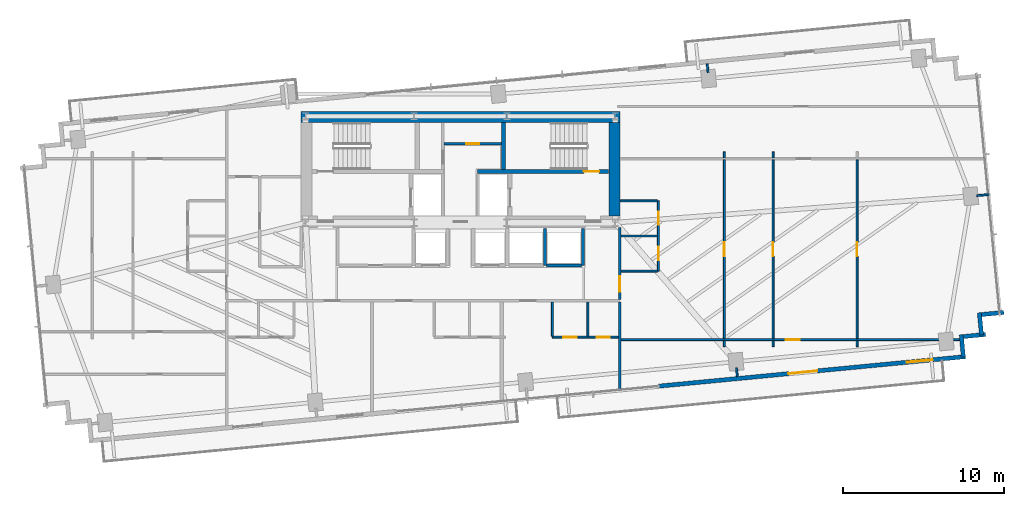
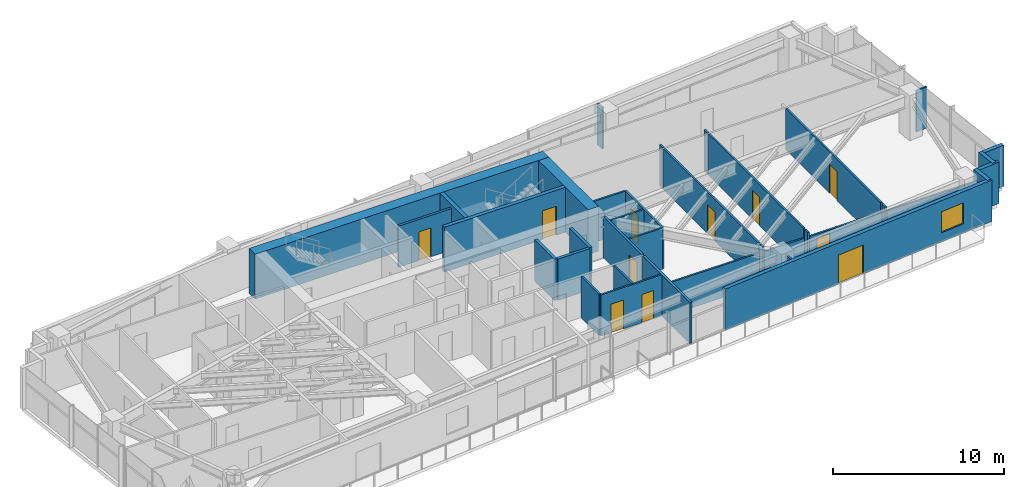
# One storey, part 21 of 25: 34 walls, 12 doors, 1 window, 13 openings.
"""IFC4 building model written with IfcOpenShell, lengths in metres."""

from ifc_helpers import new_model, si_unit, direction, frame, frame_2d, origin, place, context, subcontext, project, spatial, rectangle, extrude, source, transform, mapped, material, layer, layer_set, type_object, type_shapes, element, fill, save


model = new_model("IFC4")

# Units and contexts
model_context = context("Model", 3, precision=1e-05, world=origin(), true_north=direction((0.0, 1.0)))
body_context = subcontext(model_context, "Body", "Model", "MODEL_VIEW")
ifc_project = project(units=[si_unit("LENGTHUNIT", "METRE"), si_unit("AREAUNIT", "SQUARE_METRE"), si_unit("VOLUMEUNIT", "CUBIC_METRE"), si_unit("PLANEANGLEUNIT", "RADIAN"), si_unit("MASSUNIT", "GRAM", prefix="KILO")], contexts=[model_context])

# Site, building, storey
site_placement = place(None, origin())
site = spatial("IfcSite", under=ifc_project, at=site_placement, CompositionType="ELEMENT")
building_placement = place(site_placement, origin())
building = spatial("IfcBuilding", under=site, at=building_placement, Name="Astriad Promenade Condominiums", CompositionType="ELEMENT")
storey_placement = place(building_placement, frame((0.0, 0.0, 103.39990234375)))
storey = spatial("IfcBuildingStorey", under=building, at=storey_placement, Name="L29", CompositionType="ELEMENT", Elevation=103.39990234375)

# Walls
ifc_material_1 = material(Name="Concrete C60/75", Category="concrete")
ifc_layer_1 = layer(ifc_material_1, 0.699951171875)
ifc_layer_set_1 = layer_set([ifc_layer_1], Name="Concrete C60/75")
wall_type_1 = type_object("IfcWallType", Name="CW-SHEAR-700", PredefinedType="SHEAR", material=ifc_layer_set_1)
wall_1_placement = place(storey_placement, frame((26.10009765625, 23.949951171875, 0.0), z_axis=(0.0, 0.0, 1.0), x_axis=(1.0, 0.0, 0.0)))
element("IfcWall", 1, at=wall_1_placement, inside=storey, type_object=wall_type_1, Name="CW-CORE-N-L29", PredefinedType="SHEAR", context=body_context, shape_type="SweptSolid", body=[
    extrude(rectangle(XDim=19.7998046875, YDim=0.699951171875, at=frame_2d((9.89990234375, 0.0))), origin(), (0.0, 0.0, 1.0), 3.2001953125),
])
wall_2_placement = place(storey_placement, frame((45.550048828125, 17.802001953125, 0.0), z_axis=(0.0, 0.0, 1.0), x_axis=(0.0, 1.0, 0.0)))
element("IfcWall", 2, at=wall_2_placement, inside=storey, type_object=wall_type_1, Name="CW-CORE-E-L29", PredefinedType="SHEAR", context=body_context, shape_type="SweptSolid", body=[
    extrude(rectangle(XDim=5.7958984375, YDim=0.699951171875, at=frame_2d((2.89794921875, 0.0))), origin(), (0.0, 0.0, 1.0), 3.2001953125),
])

# Wall, opening, door
ifc_material_2 = material(Name="Concrete C50/60", Category="concrete")
ifc_layer_2 = layer(ifc_material_2, 0.25)
ifc_layer_set_2 = layer_set([ifc_layer_2], Name="Concrete C50/60")
wall_type_2 = type_object("IfcWallType", Name="WALL-CORE-INT-250", PredefinedType="SOLIDWALL", material=ifc_layer_set_2)
wall_3_placement = place(storey_placement, frame((37.050048828125, 20.574951171875, 0.0), z_axis=(0.0, 0.0, 1.0), x_axis=(1.0, 0.0, 0.0)))
wall_3 = element("IfcWall", 3, at=wall_3_placement, inside=storey, type_object=wall_type_2, Name="CW-INT-H2-L29", PredefinedType="SOLIDWALL", context=body_context, shape_type="SweptSolid", body=[
    extrude(rectangle(XDim=8.14794921875, YDim=0.25, at=frame_2d((4.073974609375, 0.0))), origin(), (0.0, 0.0, 1.0), 3.2001953125),
])
opening_1_placement = place(wall_3_placement, frame((6.60009765625, 0.0, 0.0)))
opening_1 = element("IfcOpeningElement", 4, at=opening_1_placement, cuts=wall_3, Name="Opening FD90-ST-095", PredefinedType="OPENING", context=body_context, shape_type="SweptSolid", body=[
    extrude(rectangle(XDim=0.949951171875, YDim=2.06005859375, at=frame_2d((0.47509765625, 1.030029296875))), frame((0.0, 0.135009765625, 0.0), z_axis=(0.0, -1.0, 0.0), x_axis=(1.0, 0.0, 0.0)), (0.0, 0.0, 1.0), 0.27001953125),
])
ifc_material_3 = material(Name="Fire-Rated Hollow Metal Stair Door")
door_type_1 = type_object("IfcDoorType", Name="FD90-ST-095", OperationType="NOTDEFINED", PredefinedType="DOOR", material=ifc_material_3)
shared_shape_1 = source(origin(), body_context, "Body", "SweptSolid", [
    extrude(rectangle(XDim=0.949951171875, YDim=2.06005859375, at=frame_2d((0.47509765625, 1.030029296875))), frame((0.0, 0.02490234375, 0.0), z_axis=(0.0, -1.0, 0.0), x_axis=(1.0, 0.0, 0.0)), (0.0, 0.0, 1.0), 0.050048828125),
])
type_shapes(door_type_1, [shared_shape_1])
door_1_placement = place(opening_1_placement, origin())
door_1 = element("IfcDoor", 5, at=door_1_placement, inside=storey, type_object=door_type_1, Name="D-ST2-L29", OperationType="SINGLE_SWING_RIGHT", OverallHeight=2.06005859375, OverallWidth=0.949951171875, PredefinedType="DOOR", context=body_context, shape_type="MappedRepresentation", body=[
    mapped(shared_shape_1, transform((0.0, 0.0, 0.0), scale=1.0)),
])
fill(opening_1, door_1)

# Wall
wall_4_placement = place(storey_placement, frame((38.675048828125, 20.701904296875, 0.0), z_axis=(0.0, 0.0, 1.0), x_axis=(0.0, 1.0, 0.0)))
element("IfcWall", 6, at=wall_4_placement, inside=storey, type_object=wall_type_2, Name="CW-ST2-W-L29", PredefinedType="SOLIDWALL", context=body_context, shape_type="SweptSolid", body=[
    extrude(rectangle(XDim=2.89599609375, YDim=0.25, at=frame_2d((1.447998046875, 0.0))), origin(), (0.0, 0.0, 1.0), 3.2001953125),
])

# Wall, opening, door
ifc_material_4 = material(Name="Fire-Rated Gypsum Partition")
ifc_layer_3 = layer(ifc_material_4, 0.159912109375)
ifc_layer_set_3 = layer_set([ifc_layer_3], Name="Fire-Rated Gypsum Partition")
wall_type_3 = type_object("IfcWallType", Name="WALL-CORR-160", PredefinedType="PARTITIONING", material=ifc_layer_set_3)
wall_5_placement = place(storey_placement, frame((34.98193359375, 22.300048828125, 0.0), z_axis=(0.0, 0.0, 1.0), x_axis=(1.0, 0.0, 0.0)))
wall_5 = element("IfcWall", 7, at=wall_5_placement, inside=storey, type_object=wall_type_3, Name="CW-AUX-N-L29", PredefinedType="PARTITIONING", context=body_context, shape_type="SweptSolid", body=[
    extrude(rectangle(XDim=3.566162109375, YDim=0.159912109375, at=frame_2d((1.783203125, 0.0))), origin(), (0.0, 0.0, 1.0), 2.940185546875),
])
opening_2_placement = place(wall_5_placement, frame((1.3779296875, 0.0, 0.0)))
opening_2 = element("IfcOpeningElement", 8, at=opening_2_placement, cuts=wall_5, Name="Opening FD60-SV-080", PredefinedType="OPENING", context=body_context, shape_type="SweptSolid", body=[
    extrude(rectangle(XDim=0.800048828125, YDim=2.050048828125, at=frame_2d((0.39990234375, 1.02490234375))), frame((0.0, 0.08984375, 0.0), z_axis=(0.0, -1.0, 0.0), x_axis=(1.0, 0.0, 0.0)), (0.0, 0.0, 1.0), 0.179931640625),
])
ifc_material_5 = material(Name="Fire-Rated Riser Closet Door")
door_type_2 = type_object("IfcDoorType", Name="FD60-SV-080", OperationType="NOTDEFINED", PredefinedType="DOOR", material=ifc_material_5)
shared_shape_2 = source(origin(), body_context, "Body", "SweptSolid", [
    extrude(rectangle(XDim=0.800048828125, YDim=2.050048828125, at=frame_2d((0.39990234375, 1.02490234375))), frame((0.0, 0.02490234375, 0.0), z_axis=(0.0, -1.0, 0.0), x_axis=(1.0, 0.0, 0.0)), (0.0, 0.0, 1.0), 0.050048828125),
])
type_shapes(door_type_2, [shared_shape_2])
door_2_placement = place(opening_2_placement, origin())
door_2 = element("IfcDoor", 9, at=door_2_placement, inside=storey, type_object=door_type_2, Name="D-AUX2-L29", OperationType="SINGLE_SWING_RIGHT", OverallHeight=2.050048828125, OverallWidth=0.800048828125, PredefinedType="DOOR", context=body_context, shape_type="MappedRepresentation", body=[
    mapped(shared_shape_2, transform((0.0, 0.0, 0.0), scale=1.0)),
])
fill(opening_2, door_2)

# Wall
wall_6_placement = place(storey_placement, frame((45.8798828125, 6.977294921875, 0.0), z_axis=(0.0, 0.0, 1.0), x_axis=(0.0, 1.0, 0.0)))
element("IfcWall", 10, at=wall_6_placement, inside=storey, type_object=wall_type_3, Name="PT-COR-E-L29", PredefinedType="PARTITIONING", context=body_context, shape_type="SweptSolid", body=[
    extrude(rectangle(XDim=5.49072265625, YDim=0.159912109375, at=frame_2d((2.745361328125, 0.0))), origin(), (0.0, 0.0, 1.0), 2.940185546875),
])

# Wall, opening, door
wall_7_placement = place(storey_placement, frame((45.8798828125, 12.632080078125, 0.0), z_axis=(0.0, 0.0, 1.0), x_axis=(0.0, 1.0, 0.0)))
wall_7 = element("IfcWall", 11, at=wall_7_placement, inside=storey, type_object=wall_type_3, Name="PT-COR-E-L29-S2", PredefinedType="PARTITIONING", context=body_context, shape_type="SweptSolid", body=[
    extrude(rectangle(XDim=4.4658203125, YDim=0.159912109375, at=frame_2d((2.23291015625, 0.0))), origin(), (0.0, 0.0, 1.0), 2.940185546875),
])
opening_3_placement = place(wall_7_placement, frame((0.492919921875, 0.0, 0.0)))
opening_3 = element("IfcOpeningElement", 12, at=opening_3_placement, cuts=wall_7, Name="Opening FD60-APT-095", PredefinedType="OPENING", context=body_context, shape_type="SweptSolid", body=[
    extrude(rectangle(XDim=0.949951171875, YDim=2.06005859375, at=frame_2d((0.47509765625, 1.030029296875))), frame((0.0, 0.08984375, 0.0), z_axis=(0.0, -1.0, 0.0), x_axis=(1.0, 0.0, 0.0)), (0.0, 0.0, 1.0), 0.179931640625),
])
ifc_material_6 = material(Name="Solid-Core Acoustic Timber Residence Entry Door", Category="wood")
door_type_3 = type_object("IfcDoorType", Name="FD60-APT-095", OperationType="NOTDEFINED", PredefinedType="DOOR", material=ifc_material_6)
shared_shape_3 = source(origin(), body_context, "Body", "SweptSolid", [
    extrude(rectangle(XDim=0.949951171875, YDim=2.06005859375, at=frame_2d((0.47509765625, 1.030029296875))), frame((0.0, 0.02490234375, 0.0), z_axis=(0.0, -1.0, 0.0), x_axis=(1.0, 0.0, 0.0)), (0.0, 0.0, 1.0), 0.050048828125),
])
type_shapes(door_type_3, [shared_shape_3])
door_3_placement = place(opening_3_placement, origin())
door_3 = element("IfcDoor", 13, at=door_3_placement, inside=storey, type_object=door_type_3, Name="D-ENT-L29-E1", OperationType="SINGLE_SWING_LEFT", OverallHeight=2.06005859375, OverallWidth=0.949951171875, PredefinedType="DOOR", context=body_context, shape_type="MappedRepresentation", body=[
    mapped(shared_shape_3, transform((0.0, 0.0, 0.0), scale=1.0)),
])
fill(opening_3, door_3)

# Walls
ifc_material_7 = material(Name="Precast concrete C50/60", Category="concrete")
ifc_layer_4 = layer(ifc_material_7, 0.260009765625)
ifc_layer_set_4 = layer_set([ifc_layer_4], Name="Precast concrete C50/60")
wall_type_4 = type_object("IfcWallType", Name="WALL-EXT-TWR-260", PredefinedType="STANDARD", material=ifc_layer_set_4)
for number, where, z_axis, x_axis, name in (
    (14, (69.698486328125, 11.83251953125, 0.0), (0.0, 0.0, 1.0), (-0.99540614245, -0.095742423056, 0.0), "W-SER-L29-14"),
    (15, (68.18310546875, 11.817138671875, 0.0), (0.0, 0.0, 1.0), (0.095915846097, -0.995389446633, 0.0), "W-SER-L29-15"),
):
    element("IfcWall", number, at=place(storey_placement, frame(where, z_axis=z_axis, x_axis=x_axis)), inside=storey, type_object=wall_type_4, Name=name, PredefinedType="STANDARD", context=body_context, shape_type="SweptSolid", body=[
        extrude(rectangle(XDim=1.394775390625, YDim=0.260009765625, at=frame_2d((0.697265625, 0.0))), origin(), (0.0, 0.0, 1.0), 2.940185546875),
    ])
wall_8_placement = place(storey_placement, frame((68.57421875, 10.468505859375, 0.0), z_axis=(0.0, 0.0, 1.0), x_axis=(-0.99540774648, -0.095725744959, 0.0)))
element("IfcWall", 16, at=wall_8_placement, inside=storey, type_object=wall_type_4, Name="W-SER-L29-16", PredefinedType="STANDARD", context=body_context, shape_type="SweptSolid", body=[
    extrude(rectangle(XDim=1.39501953125, YDim=0.260009765625, at=frame_2d((0.697509765625, 0.0))), origin(), (0.0, 0.0, 1.0), 2.940185546875),
])
wall_9_placement = place(storey_placement, frame((67.05859375, 10.453125, 0.0), z_axis=(0.0, 0.0, 1.0), x_axis=(0.095915846097, -0.995389446633, 0.0)))
element("IfcWall", 17, at=wall_9_placement, inside=storey, type_object=wall_type_4, Name="W-SER-L29-17", PredefinedType="STANDARD", context=body_context, shape_type="SweptSolid", body=[
    extrude(rectangle(XDim=1.394775390625, YDim=0.260009765625, at=frame_2d((0.697265625, 0.0))), origin(), (0.0, 0.0, 1.0), 2.940185546875),
])

# Wall, openings, door, window
wall_10_placement = place(storey_placement, frame((67.3203125, 9.092041015625, 0.0), z_axis=(0.0, 0.0, 1.0), x_axis=(-0.995396521236, -0.095842399342, 0.0)))
wall_10 = element("IfcWall", 18, at=wall_10_placement, inside=storey, type_object=wall_type_4, Name="W-EXT-L29-S1", PredefinedType="STANDARD", context=body_context, shape_type="SweptSolid", body=[
    extrude(rectangle(XDim=19.10986328125, YDim=0.260009765625, at=frame_2d((9.554931640625, 0.0))), origin(), (0.0, 0.0, 1.0), 2.940185546875),
])
opening_4_placement = place(wall_10_placement, frame((9.22412109375, 0.0, 0.0)))
opening_4 = element("IfcOpeningElement", 19, at=opening_4_placement, cuts=wall_10, Name="Opening BD-1822-SLD", PredefinedType="OPENING", context=body_context, shape_type="SweptSolid", body=[
    extrude(rectangle(XDim=1.800048828125, YDim=2.06005859375, at=frame_2d((0.89990234375, 1.030029296875))), frame((0.0, 0.139892578125, 0.0), z_axis=(0.0, -1.0, 0.0), x_axis=(1.0, 0.0, 0.0)), (0.0, 0.0, 1.0), 0.280029296875),
])
opening_5_placement = place(wall_10_placement, frame((2.050048828125, 0.0, 0.64990234375)))
opening_5 = element("IfcOpeningElement", 20, at=opening_5_placement, cuts=wall_10, Name="Opening WIN-TWR-1620", PredefinedType="OPENING", context=body_context, shape_type="SweptSolid", body=[
    extrude(rectangle(XDim=1.60009765625, YDim=1.5, at=frame_2d((0.800048828125, 0.75))), frame((0.0, 0.139892578125, 0.0), z_axis=(0.0, -1.0, 0.0), x_axis=(1.0, 0.0, 0.0)), (0.0, 0.0, 1.0), 0.280029296875),
])
ifc_material_8 = material(Name="Thermally Broken Aluminium Sliding Balcony Door", Category="aluminium")
door_type_4 = type_object("IfcDoorType", Name="BD-1822-SLD", OperationType="NOTDEFINED", PredefinedType="DOOR", material=ifc_material_8)
shared_shape_4 = source(origin(), body_context, "Body", "SweptSolid", [
    extrude(rectangle(XDim=1.800048828125, YDim=2.06005859375, at=frame_2d((0.89990234375, 1.030029296875))), frame((0.0, 0.02490234375, 0.0), z_axis=(0.0, -1.0, 0.0), x_axis=(1.0, 0.0, 0.0)), (0.0, 0.0, 1.0), 0.050048828125),
])
type_shapes(door_type_4, [shared_shape_4])
door_4_placement = place(opening_4_placement, origin())
door_4 = element("IfcDoor", 21, at=door_4_placement, inside=storey, type_object=door_type_4, Name="BD-L29-SE", OperationType="SLIDING_TO_RIGHT", OverallHeight=2.06005859375, OverallWidth=1.800048828125, PredefinedType="DOOR", context=body_context, shape_type="MappedRepresentation", body=[
    mapped(shared_shape_4, transform((0.0, 0.0, 0.0), scale=1.0)),
])
fill(opening_4, door_4)
ifc_material_9 = material(Name="Dark Tinted Triple-Glazed Aluminium Window", Category="aluminium")
window_type = type_object("IfcWindowType", Name="WIN-TWR-1620", PartitioningType="SINGLE_PANEL", PredefinedType="WINDOW", material=ifc_material_9)
shared_shape_5 = source(origin(), body_context, "Body", "SweptSolid", [
    extrude(rectangle(XDim=1.60009765625, YDim=1.5, at=frame_2d((0.800048828125, 0.75))), frame((0.0, 0.030029296875, 0.0), z_axis=(0.0, -1.0, 0.0), x_axis=(1.0, 0.0, 0.0)), (0.0, 0.0, 1.0), 0.06005859375),
])
type_shapes(window_type, [shared_shape_5])
window_placement = place(opening_5_placement, origin())
window = element("IfcWindow", 22, at=window_placement, inside=storey, type_object=window_type, Name="WIN-L29-SE", OverallHeight=1.5, OverallWidth=1.60009765625, PartitioningType="SINGLE_PANEL", PredefinedType="WINDOW", context=body_context, shape_type="MappedRepresentation", body=[
    mapped(shared_shape_5, transform((0.0, 0.0, 0.0), scale=1.0)),
])
fill(opening_5, window)

# Wall, openings, doors
ifc_material_10 = material(Name="Acoustic Metal-Stud Gypsum Partition")
ifc_layer_5 = layer(ifc_material_10, 0.1201171875)
ifc_layer_set_5 = layer_set([ifc_layer_5], Name="Acoustic Metal-Stud Gypsum Partition")
wall_type_5 = type_object("IfcWallType", Name="WALL-PART-120", PredefinedType="PARTITIONING", material=ifc_layer_set_5)
wall_11_placement = place(storey_placement, frame((41.699951171875, 10.300048828125, 0.0), z_axis=(0.0, 0.0, 1.0), x_axis=(1.0, 0.0, 0.0)))
wall_11 = element("IfcWall", 23, at=wall_11_placement, inside=storey, type_object=wall_type_5, Name="PT-L29-S3-PS", PredefinedType="PARTITIONING", context=body_context, shape_type="SweptSolid", body=[
    extrude(rectangle(XDim=4.09814453125, YDim=0.1201171875, at=frame_2d((2.049072265625, 0.0))), origin(), (0.0, 0.0, 1.0), 2.940185546875),
])
opening_6_placement = place(wall_11_placement, frame((0.675048828125, 0.0, 0.0)))
opening_6 = element("IfcOpeningElement", 24, at=opening_6_placement, cuts=wall_11, Name="Opening D-INT-085", PredefinedType="OPENING", context=body_context, shape_type="SweptSolid", body=[
    extrude(rectangle(XDim=0.85009765625, YDim=2.050048828125, at=frame_2d((0.425048828125, 1.02490234375))), frame((0.0, 0.070068359375, 0.0), z_axis=(0.0, -1.0, 0.0), x_axis=(1.0, 0.0, 0.0)), (0.0, 0.0, 1.0), 0.14013671875),
])
opening_7_placement = place(wall_11_placement, frame((2.75, 0.0, 0.0)))
opening_7 = element("IfcOpeningElement", 25, at=opening_7_placement, cuts=wall_11, Name="Opening D-WET-080", PredefinedType="OPENING", context=body_context, shape_type="SweptSolid", body=[
    extrude(rectangle(XDim=0.800048828125, YDim=2.02001953125, at=frame_2d((0.39990234375, 1.010009765625))), frame((0.0, 0.070068359375, 0.0), z_axis=(0.0, -1.0, 0.0), x_axis=(1.0, 0.0, 0.0)), (0.0, 0.0, 1.0), 0.14013671875),
])
ifc_material_11 = material(Name="Moisture-Resistant Timber Bathroom Door", Category="wood")
door_type_5 = type_object("IfcDoorType", Name="D-WET-080", OperationType="NOTDEFINED", PredefinedType="DOOR", material=ifc_material_11)
shared_shape_6 = source(origin(), body_context, "Body", "SweptSolid", [
    extrude(rectangle(XDim=0.800048828125, YDim=2.02001953125, at=frame_2d((0.39990234375, 1.010009765625))), frame((0.0, 0.02490234375, 0.0), z_axis=(0.0, -1.0, 0.0), x_axis=(1.0, 0.0, 0.0)), (0.0, 0.0, 1.0), 0.050048828125),
])
type_shapes(door_type_5, [shared_shape_6])
door_5_placement = place(opening_7_placement, origin())
door_5 = element("IfcDoor", 26, at=door_5_placement, inside=storey, type_object=door_type_5, Name="D-BTH-L29-S3", OperationType="SINGLE_SWING_RIGHT", OverallHeight=2.02001953125, OverallWidth=0.800048828125, PredefinedType="DOOR", context=body_context, shape_type="MappedRepresentation", body=[
    mapped(shared_shape_6, transform((0.0, 0.0, 0.0), scale=1.0)),
])
fill(opening_7, door_5)
ifc_material_12 = material(Name="Painted Solid-Core Timber Room Door", Category="wood")
door_type_6 = type_object("IfcDoorType", Name="D-INT-085", OperationType="NOTDEFINED", PredefinedType="DOOR", material=ifc_material_12)
shared_shape_7 = source(origin(), body_context, "Body", "SweptSolid", [
    extrude(rectangle(XDim=0.85009765625, YDim=2.050048828125, at=frame_2d((0.425048828125, 1.02490234375))), frame((0.0, 0.02490234375, 0.0), z_axis=(0.0, -1.0, 0.0), x_axis=(1.0, 0.0, 0.0)), (0.0, 0.0, 1.0), 0.050048828125),
])
type_shapes(door_type_6, [shared_shape_7])
door_6_placement = place(opening_6_placement, origin())
door_6 = element("IfcDoor", 27, at=door_6_placement, inside=storey, type_object=door_type_6, Name="D-KIT-L29-S3", OperationType="SINGLE_SWING_LEFT", OverallHeight=2.050048828125, OverallWidth=0.85009765625, PredefinedType="DOOR", context=body_context, shape_type="MappedRepresentation", body=[
    mapped(shared_shape_7, transform((0.0, 0.0, 0.0), scale=1.0)),
])
fill(opening_6, door_6)

# Walls
for number, where, z_axis, x_axis, name in (
    (28, (41.699951171875, 10.362060546875, 0.0), (0.0, 0.0, 1.0), (0.0, 1.0, 0.0), "PT-L29-S3-PK"),
    (29, (43.89990234375, 10.362060546875, 0.0), (0.0, 0.0, 1.0), (0.0, 1.0, 0.0), "PT-L29-S3-PB"),
):
    element("IfcWall", number, at=place(storey_placement, frame(where, z_axis=z_axis, x_axis=x_axis)), inside=storey, type_object=wall_type_5, Name=name, PredefinedType="PARTITIONING", context=body_context, shape_type="SweptSolid", body=[
        extrude(rectangle(XDim=2.10595703125, YDim=0.1201171875, at=frame_2d((1.052978515625, 0.0))), origin(), (0.0, 0.0, 1.0), 2.940185546875),
    ])

# Wall, openings, doors
wall_12_placement = place(storey_placement, frame((48.280029296875, 14.39990234375, 0.0), z_axis=(0.0, 0.0, 1.0), x_axis=(0.0, 1.0, 0.0)))
wall_12 = element("IfcWall", 30, at=wall_12_placement, inside=storey, type_object=wall_type_5, Name="PT-L29-E1-PV", PredefinedType="PARTITIONING", context=body_context, shape_type="SweptSolid", body=[
    extrude(rectangle(XDim=4.35009765625, YDim=0.1201171875, at=frame_2d((2.175048828125, 0.0))), origin(), (0.0, 0.0, 1.0), 2.940185546875),
])
opening_8_placement = place(wall_12_placement, frame((0.6630859375, 0.0, 0.0)))
opening_8 = element("IfcOpeningElement", 31, at=opening_8_placement, cuts=wall_12, Name="Opening D-INT-085", PredefinedType="OPENING", context=body_context, shape_type="SweptSolid", body=[
    extrude(rectangle(XDim=0.85009765625, YDim=2.050048828125, at=frame_2d((0.425048828125, 1.02490234375))), frame((0.0, 0.070068359375, 0.0), z_axis=(0.0, -1.0, 0.0), x_axis=(1.0, 0.0, 0.0)), (0.0, 0.0, 1.0), 0.14013671875),
])
opening_9_placement = place(wall_12_placement, frame((2.863037109375, 0.0, 0.0)))
opening_9 = element("IfcOpeningElement", 32, at=opening_9_placement, cuts=wall_12, Name="Opening D-WET-080", PredefinedType="OPENING", context=body_context, shape_type="SweptSolid", body=[
    extrude(rectangle(XDim=0.800048828125, YDim=2.02001953125, at=frame_2d((0.39990234375, 1.010009765625))), frame((0.0, 0.070068359375, 0.0), z_axis=(0.0, -1.0, 0.0), x_axis=(1.0, 0.0, 0.0)), (0.0, 0.0, 1.0), 0.14013671875),
])
door_7_placement = place(opening_9_placement, origin())
door_7 = element("IfcDoor", 33, at=door_7_placement, inside=storey, type_object=door_type_5, Name="D-BTH-L29-E1", OperationType="SINGLE_SWING_LEFT", OverallHeight=2.02001953125, OverallWidth=0.800048828125, PredefinedType="DOOR", context=body_context, shape_type="MappedRepresentation", body=[
    mapped(shared_shape_6, transform((0.0, 0.0, 0.0), scale=1.0)),
])
fill(opening_9, door_7)
door_8_placement = place(opening_8_placement, origin())
door_8 = element("IfcDoor", 34, at=door_8_placement, inside=storey, type_object=door_type_6, Name="D-KIT-L29-E1", OperationType="SINGLE_SWING_RIGHT", OverallHeight=2.050048828125, OverallWidth=0.85009765625, PredefinedType="DOOR", context=body_context, shape_type="MappedRepresentation", body=[
    mapped(shared_shape_7, transform((0.0, 0.0, 0.0), scale=1.0)),
])
fill(opening_8, door_8)

# Walls
for number, where, z_axis, x_axis, name in (
    (35, (45.9619140625, 16.574951171875, 0.0), (0.0, 0.0, 1.0), (1.0, 0.0, 0.0), "PT-L29-E1-PM"),
    (36, (45.9619140625, 14.39990234375, 0.0), (0.0, 0.0, 1.0), (1.0, 0.0, 0.0), "PT-L29-E1-PS"),
):
    element("IfcWall", number, at=place(storey_placement, frame(where, z_axis=z_axis, x_axis=x_axis)), inside=storey, type_object=wall_type_5, Name=name, PredefinedType="PARTITIONING", context=body_context, shape_type="SweptSolid", body=[
        extrude(rectangle(XDim=2.256103515625, YDim=0.1201171875, at=frame_2d((1.1279296875, 0.0))), origin(), (0.0, 0.0, 1.0), 2.940185546875),
    ])
wall_13_placement = place(storey_placement, frame((45.902099609375, 18.75, 0.0), z_axis=(0.0, 0.0, 1.0), x_axis=(1.0, 0.0, 0.0)))
element("IfcWall", 37, at=wall_13_placement, inside=storey, type_object=wall_type_5, Name="PT-L29-E1-PN", PredefinedType="PARTITIONING", context=body_context, shape_type="SweptSolid", body=[
    extrude(rectangle(XDim=2.31591796875, YDim=0.1201171875, at=frame_2d((1.157958984375, 0.0))), origin(), (0.0, 0.0, 1.0), 2.940185546875),
])

# Wall, opening, door
wall_14_placement = place(storey_placement, frame((45.9619140625, 10.14697265625, 0.0), z_axis=(0.0, 0.0, 1.0), x_axis=(1.0, 0.0, 0.0)))
wall_14 = element("IfcWall", 38, at=wall_14_placement, inside=storey, type_object=wall_type_5, Name="PT-L29-E1-WDS3", PredefinedType="PARTITIONING", context=body_context, shape_type="SweptSolid", body=[
    extrude(rectangle(XDim=20.99365234375, YDim=0.1201171875, at=frame_2d((10.496826171875, 0.0))), origin(), (0.0, 0.0, 1.0), 2.31005859375),
])
opening_10_placement = place(wall_14_placement, frame((10.22705078125, 0.0, 0.0)))
opening_10 = element("IfcOpeningElement", 39, at=opening_10_placement, cuts=wall_14, Name="Opening D-INT-085", PredefinedType="OPENING", context=body_context, shape_type="SweptSolid", body=[
    extrude(rectangle(XDim=0.85009765625, YDim=2.050048828125, at=frame_2d((0.425048828125, 1.02490234375))), frame((0.0, 0.070068359375, 0.0), z_axis=(0.0, -1.0, 0.0), x_axis=(1.0, 0.0, 0.0)), (0.0, 0.0, 1.0), 0.14013671875),
])
door_9_placement = place(opening_10_placement, origin())
door_9 = element("IfcDoor", 40, at=door_9_placement, inside=storey, type_object=door_type_6, Name="D-WDS3-L29-E1", OperationType="SINGLE_SWING_RIGHT", OverallHeight=2.050048828125, OverallWidth=0.85009765625, PredefinedType="DOOR", context=body_context, shape_type="MappedRepresentation", body=[
    mapped(shared_shape_7, transform((0.0, 0.0, 0.0), scale=1.0)),
])
fill(opening_10, door_9)

# Wall
wall_15_placement = place(storey_placement, frame((60.596923828125, 9.70703125, 0.0), z_axis=(0.0, 0.0, 1.0), x_axis=(0.0, 1.0, 0.0)))
element("IfcWall", 41, at=wall_15_placement, inside=storey, type_object=wall_type_5, Name="PT-L29-E1-WDV4", PredefinedType="PARTITIONING", context=body_context, shape_type="SweptSolid", body=[
    extrude(rectangle(XDim=0.3779296875, YDim=0.1201171875, at=frame_2d((0.18896484375, 0.0))), origin(), (0.0, 0.0, 1.0), 2.940185546875),
])

# Wall, opening, door
wall_16_placement = place(storey_placement, frame((60.596923828125, 10.208984375, 0.0), z_axis=(0.0, 0.0, 1.0), x_axis=(0.0, 1.0, 0.0)))
wall_16 = element("IfcWall", 42, at=wall_16_placement, inside=storey, type_object=wall_type_5, Name="PT-L29-E1-WDV4-S2", PredefinedType="PARTITIONING", context=body_context, shape_type="SweptSolid", body=[
    extrude(rectangle(XDim=11.0869140625, YDim=0.1201171875, at=frame_2d((5.54345703125, 0.0))), origin(), (0.0, 0.0, 1.0), 2.940185546875),
])
opening_11_placement = place(wall_16_placement, frame((5.117919921875, 0.0, 0.0)))
opening_11 = element("IfcOpeningElement", 43, at=opening_11_placement, cuts=wall_16, Name="Opening D-INT-085", PredefinedType="OPENING", context=body_context, shape_type="SweptSolid", body=[
    extrude(rectangle(XDim=0.85009765625, YDim=2.050048828125, at=frame_2d((0.425048828125, 1.02490234375))), frame((0.0, 0.070068359375, 0.0), z_axis=(0.0, -1.0, 0.0), x_axis=(1.0, 0.0, 0.0)), (0.0, 0.0, 1.0), 0.14013671875),
])
door_10_placement = place(opening_11_placement, origin())
door_10 = element("IfcDoor", 44, at=door_10_placement, inside=storey, type_object=door_type_6, Name="D-WDV4-L29-E1", OperationType="SINGLE_SWING_LEFT", OverallHeight=2.050048828125, OverallWidth=0.85009765625, PredefinedType="DOOR", context=body_context, shape_type="MappedRepresentation", body=[
    mapped(shared_shape_7, transform((0.0, 0.0, 0.0), scale=1.0)),
])
fill(opening_11, door_10)

# Wall
wall_17_placement = place(storey_placement, frame((55.388916015625, 9.70703125, 0.0), z_axis=(0.0, 0.0, 1.0), x_axis=(0.0, 1.0, 0.0)))
element("IfcWall", 45, at=wall_17_placement, inside=storey, type_object=wall_type_5, Name="PT-L29-E1-WDV5", PredefinedType="PARTITIONING", context=body_context, shape_type="SweptSolid", body=[
    extrude(rectangle(XDim=0.3779296875, YDim=0.1201171875, at=frame_2d((0.18896484375, 0.0))), origin(), (0.0, 0.0, 1.0), 2.940185546875),
])

# Wall, opening, door
wall_18_placement = place(storey_placement, frame((55.388916015625, 10.208984375, 0.0), z_axis=(0.0, 0.0, 1.0), x_axis=(0.0, 1.0, 0.0)))
wall_18 = element("IfcWall", 46, at=wall_18_placement, inside=storey, type_object=wall_type_5, Name="PT-L29-E1-WDV5-S2", PredefinedType="PARTITIONING", context=body_context, shape_type="SweptSolid", body=[
    extrude(rectangle(XDim=11.0869140625, YDim=0.1201171875, at=frame_2d((5.54345703125, 0.0))), origin(), (0.0, 0.0, 1.0), 2.940185546875),
])
opening_12_placement = place(wall_18_placement, frame((5.117919921875, 0.0, 0.0)))
opening_12 = element("IfcOpeningElement", 47, at=opening_12_placement, cuts=wall_18, Name="Opening D-INT-085", PredefinedType="OPENING", context=body_context, shape_type="SweptSolid", body=[
    extrude(rectangle(XDim=0.85009765625, YDim=2.050048828125, at=frame_2d((0.425048828125, 1.02490234375))), frame((0.0, 0.070068359375, 0.0), z_axis=(0.0, -1.0, 0.0), x_axis=(1.0, 0.0, 0.0)), (0.0, 0.0, 1.0), 0.14013671875),
])
door_11_placement = place(opening_12_placement, origin())
door_11 = element("IfcDoor", 48, at=door_11_placement, inside=storey, type_object=door_type_6, Name="D-WDV5-L29-E1", OperationType="SINGLE_SWING_RIGHT", OverallHeight=2.050048828125, OverallWidth=0.85009765625, PredefinedType="DOOR", context=body_context, shape_type="MappedRepresentation", body=[
    mapped(shared_shape_7, transform((0.0, 0.0, 0.0), scale=1.0)),
])
fill(opening_12, door_11)

# Walls
wall_19_placement = place(storey_placement, frame((55.388916015625, 21.419921875, 0.0), z_axis=(0.0, 0.0, 1.0), x_axis=(0.0, 1.0, 0.0)))
element("IfcWall", 49, at=wall_19_placement, inside=storey, type_object=wall_type_5, Name="PT-L29-E1-WDV5-S3", PredefinedType="PARTITIONING", context=body_context, shape_type="SweptSolid", body=[
    extrude(rectangle(XDim=0.378173828125, YDim=0.1201171875, at=frame_2d((0.18896484375, 0.0))), origin(), (0.0, 0.0, 1.0), 2.940185546875),
])
wall_20_placement = place(storey_placement, frame((52.367919921875, 9.70703125, 0.0), z_axis=(0.0, 0.0, 1.0), x_axis=(0.0, 1.0, 0.0)))
element("IfcWall", 50, at=wall_20_placement, inside=storey, type_object=wall_type_5, Name="PT-L29-E1-WDV6", PredefinedType="PARTITIONING", context=body_context, shape_type="SweptSolid", body=[
    extrude(rectangle(XDim=0.3779296875, YDim=0.1201171875, at=frame_2d((0.18896484375, 0.0))), origin(), (0.0, 0.0, 1.0), 2.940185546875),
])

# Wall, opening, door
wall_21_placement = place(storey_placement, frame((52.367919921875, 10.208984375, 0.0), z_axis=(0.0, 0.0, 1.0), x_axis=(0.0, 1.0, 0.0)))
wall_21 = element("IfcWall", 51, at=wall_21_placement, inside=storey, type_object=wall_type_5, Name="PT-L29-E1-WDV6-S2", PredefinedType="PARTITIONING", context=body_context, shape_type="SweptSolid", body=[
    extrude(rectangle(XDim=11.0869140625, YDim=0.1201171875, at=frame_2d((5.54345703125, 0.0))), origin(), (0.0, 0.0, 1.0), 2.940185546875),
])
opening_13_placement = place(wall_21_placement, frame((5.117919921875, 0.0, 0.0)))
opening_13 = element("IfcOpeningElement", 52, at=opening_13_placement, cuts=wall_21, Name="Opening D-INT-085", PredefinedType="OPENING", context=body_context, shape_type="SweptSolid", body=[
    extrude(rectangle(XDim=0.85009765625, YDim=2.050048828125, at=frame_2d((0.425048828125, 1.02490234375))), frame((0.0, 0.070068359375, 0.0), z_axis=(0.0, -1.0, 0.0), x_axis=(1.0, 0.0, 0.0)), (0.0, 0.0, 1.0), 0.14013671875),
])
door_12_placement = place(opening_13_placement, origin())
door_12 = element("IfcDoor", 53, at=door_12_placement, inside=storey, type_object=door_type_6, Name="D-WDV6-L29-E1", OperationType="SINGLE_SWING_LEFT", OverallHeight=2.050048828125, OverallWidth=0.85009765625, PredefinedType="DOOR", context=body_context, shape_type="MappedRepresentation", body=[
    mapped(shared_shape_7, transform((0.0, 0.0, 0.0), scale=1.0)),
])
fill(opening_13, door_12)

# Walls
wall_22_placement = place(storey_placement, frame((52.367919921875, 21.419921875, 0.0), z_axis=(0.0, 0.0, 1.0), x_axis=(0.0, 1.0, 0.0)))
element("IfcWall", 54, at=wall_22_placement, inside=storey, type_object=wall_type_5, Name="PT-L29-E1-WDV6-S3", PredefinedType="PARTITIONING", context=body_context, shape_type="SweptSolid", body=[
    extrude(rectangle(XDim=0.378173828125, YDim=0.1201171875, at=frame_2d((0.18896484375, 0.0))), origin(), (0.0, 0.0, 1.0), 2.940185546875),
])
wall_23_placement = place(storey_placement, frame((53.121337890625, 8.39794921875, 0.0), z_axis=(0.0, 0.0, 1.0), x_axis=(0.096179204763, -0.995364034196, 0.0)))
element("IfcWall", 55, at=wall_23_placement, inside=storey, type_object=wall_type_5, Name="PT-PIL-L29-PC04-11", PredefinedType="PARTITIONING", context=body_context, shape_type="SweptSolid", body=[
    extrude(rectangle(XDim=0.5380859375, YDim=0.1201171875, at=frame_2d((0.26904296875, 0.0))), origin(), (0.0, 0.0, 1.0), 2.940185546875),
])
wall_24_placement = place(storey_placement, frame((51.35791015625, 26.71337890625, 0.0), z_axis=(0.0, 0.0, 1.0), x_axis=(-0.095772948675, 0.995403205893, 0.0)))
element("IfcWall", 56, at=wall_24_placement, inside=storey, type_object=wall_type_5, Name="PT-PIL-L29-PC09-16", PredefinedType="PARTITIONING", context=body_context, shape_type="SweptSolid", body=[
    extrude(rectangle(XDim=0.537841796875, YDim=0.1201171875, at=frame_2d((0.26904296875, 0.0))), origin(), (0.0, 0.0, 1.0), 2.940185546875),
])
wall_25_placement = place(storey_placement, frame((68.026611328125, 19.07568359375, 0.0), z_axis=(0.0, 0.0, 1.0), x_axis=(0.995377786728, 0.096036772582, 0.0)))
element("IfcWall", 57, at=wall_25_placement, inside=storey, type_object=wall_type_5, Name="PT-PIL-L29-PC12-19", PredefinedType="PARTITIONING", context=body_context, shape_type="SweptSolid", body=[
    extrude(rectangle(XDim=0.760009765625, YDim=0.1201171875, at=frame_2d((0.3798828125, 0.0))), origin(), (0.0, 0.0, 1.0), 2.940185546875),
])
ifc_material_13 = material(Name="Gypsum Shaftliner Assembly")
ifc_layer_6 = layer(ifc_material_13, 0.199951171875)
ifc_layer_set_6 = layer_set([ifc_layer_6], Name="Gypsum Shaftliner Assembly")
wall_type_6 = type_object("IfcWallType", Name="WALL-SHAFT-200", PredefinedType="PARTITIONING", material=ifc_layer_set_6)
for number, where, z_axis, x_axis, name in (
    (58, (41.25, 14.75, 0.0), (0.0, 0.0, 1.0), (0.0, 1.0, 0.0), "PL-H-DIV-L29"),
    (59, (43.60009765625, 14.75, 0.0), (0.0, 0.0, 1.0), (0.0, 1.0, 0.0), "PL-E-OUT-L29"),
):
    element("IfcWall", number, at=place(storey_placement, frame(where, z_axis=z_axis, x_axis=x_axis)), inside=storey, type_object=wall_type_6, Name=name, PredefinedType="PARTITIONING", context=body_context, shape_type="SweptSolid", body=[
        extrude(rectangle(XDim=2.300048828125, YDim=0.199951171875, at=frame_2d((1.14990234375, 0.0))), origin(), (0.0, 0.0, 1.0), 2.940185546875),
    ])
wall_26_placement = place(storey_placement, frame((41.35205078125, 14.75, 0.0), z_axis=(0.0, 0.0, 1.0), x_axis=(1.0, 0.0, 0.0)))
element("IfcWall", 60, at=wall_26_placement, inside=storey, type_object=wall_type_6, Name="PL-H-FRT-L29-S2", PredefinedType="PARTITIONING", context=body_context, shape_type="SweptSolid", body=[
    extrude(rectangle(XDim=2.14599609375, YDim=0.199951171875, at=frame_2d((1.072998046875, 0.0))), origin(), (0.0, 0.0, 1.0), 2.940185546875),
])

save(model, "model.ifc")
